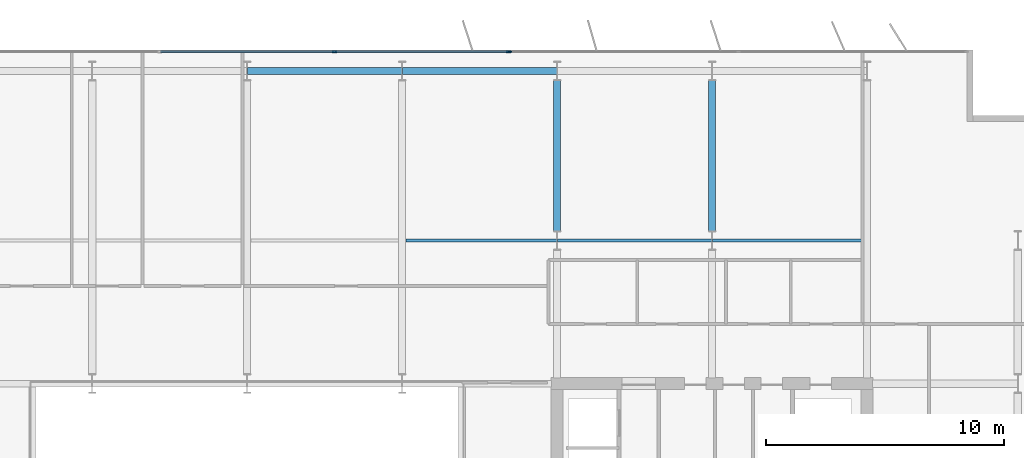
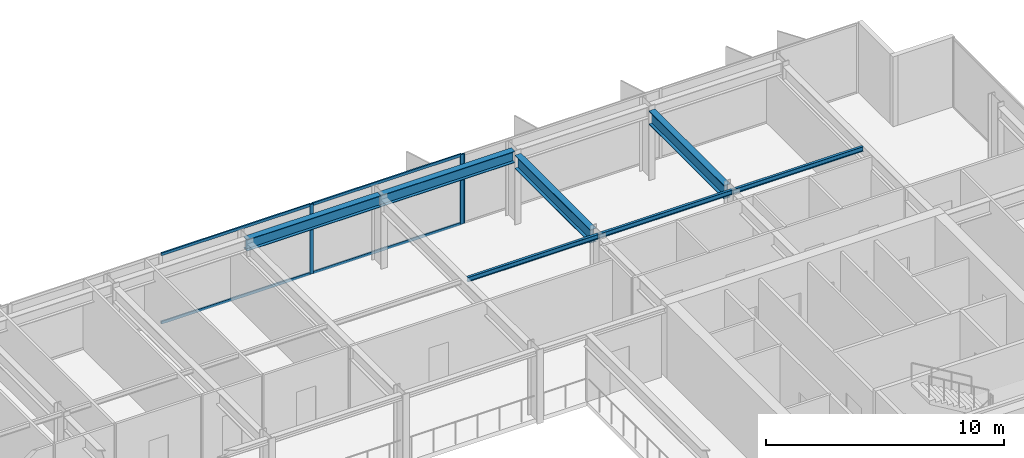
# One storey, part 12 of 24: 7 beams, 7 members, 2 elements without a shape of their own.
"""IFC4 building model written with IfcOpenShell, lengths in metres."""

from ifc_helpers import new_model, si_unit, direction, frame, origin, origin_2d, place, context, subcontext, project, spatial, rectangle, i_section, extrude, material, layer, layer_set, material_profile, profile_set, type_object, element, aggregate, save


model = new_model("IFC4")

# Units and contexts
model_context = context("Model", 3, precision=1e-05, world=origin(), true_north=direction((0.0, 1.0)))
body_context = subcontext(model_context, "Body", "Model", "MODEL_VIEW")
ifc_project = project(units=[si_unit("LENGTHUNIT", "METRE"), si_unit("AREAUNIT", "SQUARE_METRE"), si_unit("VOLUMEUNIT", "CUBIC_METRE"), si_unit("PLANEANGLEUNIT", "RADIAN"), si_unit("MASSUNIT", "GRAM", prefix="KILO")], contexts=[model_context])

# Site, building, storey
site_placement = place(None, origin())
site = spatial("IfcSite", under=ifc_project, at=site_placement, CompositionType="ELEMENT")
building_placement = place(site_placement, origin())
building = spatial("IfcBuilding", under=site, at=building_placement, Name="Putna Gate Headquarters", CompositionType="ELEMENT")
storey_placement = place(building_placement, frame((0.0, 0.0, 248.0)))
storey = spatial("IfcBuildingStorey", under=building, at=storey_placement, Name="L62", CompositionType="ELEMENT", Elevation=248.0)

# Beams
ifc_material_1 = material(Name="Steel S355J2", Category="steel")
ifc_material_profile_1 = material_profile(ifc_material_1, i_section(OverallWidth=0.300048828125, OverallDepth=0.699951171875, WebThickness=0.01708984375, FlangeThickness=0.031982421875, at=origin_2d()), Name="Steel S355J2")
ifc_profile_set_1 = profile_set([ifc_material_profile_1], Name="Steel S355J2")
beam_type_1 = type_object("IfcBeamType", Name="BM-GIRD-B-HEB700", PredefinedType="USERDEFINED", material=ifc_profile_set_1)
for number, where, z_axis, x_axis, name in (
    (1, (52.0, 39.39501953125, 3.22998046875), (0.0, 1.0, 0.0), (-1.0, 0.0, 0.0), "L62 North Primary Girder X52-2"),
    (2, (58.5, 39.39501953125, 3.22998046875), (0.0, 1.0, 0.0), (-1.0, 0.0, 0.0), "L62 North Primary Girder X58-2"),
):
    element("IfcBeam", number, at=place(storey_placement, frame(where, z_axis=z_axis, x_axis=x_axis)), inside=storey, type_object=beam_type_1, Name=name, ObjectType="GIRDER", PredefinedType="USERDEFINED", context=body_context, shape_type="SweptSolid", body=[
        extrude(i_section(OverallWidth=0.300048828125, OverallDepth=0.699951171875, WebThickness=0.01708984375, FlangeThickness=0.031982421875, at=origin_2d()), origin(), (0.0, 0.0, 1.0), 6.330078125),
    ])
ifc_material_profile_2 = material_profile(ifc_material_1, i_section(OverallWidth=0.1201171875, OverallDepth=0.239990234375, WebThickness=0.006103515625, FlangeThickness=0.009765625, at=origin_2d()), Name="Steel S355J2")
ifc_profile_set_2 = profile_set([ifc_material_profile_2], Name="Steel S355J2")
beam_type_2 = type_object("IfcBeamType", Name="BM-SEC-Z4-IPE240", PredefinedType="JOIST", material=ifc_profile_set_2)
beam_1_placement = place(storey_placement, frame((45.654052734375, 39.0, 3.4599609375), z_axis=(1.0, 0.0, 0.0), x_axis=(0.0, 1.0, 0.0)))
element("IfcBeam", 3, at=beam_1_placement, inside=storey, type_object=beam_type_2, Name="L62 North Secondary Beam 6", PredefinedType="JOIST", context=body_context, shape_type="SweptSolid", body=[
    extrude(i_section(OverallWidth=0.1201171875, OverallDepth=0.239990234375, WebThickness=0.006103515625, FlangeThickness=0.009765625, at=origin_2d()), origin(), (0.0, 0.0, 1.0), 6.33984375),
])
beam_2_placement = place(storey_placement, frame((52.006103515625, 39.0, 3.4599609375), z_axis=(1.0, 0.0, 0.0), x_axis=(0.0, 1.0, 0.0)))
element("IfcBeam", 4, at=beam_2_placement, inside=storey, type_object=beam_type_2, Name="L62 North Secondary Beam 7", PredefinedType="JOIST", context=body_context, shape_type="SweptSolid", body=[
    extrude(i_section(OverallWidth=0.1201171875, OverallDepth=0.239990234375, WebThickness=0.006103515625, FlangeThickness=0.009765625, at=origin_2d()), origin(), (0.0, 0.0, 1.0), 6.48779296875),
])
beam_3_placement = place(storey_placement, frame((58.506103515625, 39.0, 3.4599609375), z_axis=(1.0, 0.0, 0.0), x_axis=(0.0, 1.0, 0.0)))
element("IfcBeam", 5, at=beam_3_placement, inside=storey, type_object=beam_type_2, Name="L62 North Secondary Beam 8", PredefinedType="JOIST", context=body_context, shape_type="SweptSolid", body=[
    extrude(i_section(OverallWidth=0.1201171875, OverallDepth=0.239990234375, WebThickness=0.006103515625, FlangeThickness=0.009765625, at=origin_2d()), origin(), (0.0, 0.0, 1.0), 6.33984375),
])
ifc_material_profile_3 = material_profile(ifc_material_1, i_section(OverallWidth=0.300048828125, OverallDepth=0.590087890625, WebThickness=0.012939453125, FlangeThickness=0.02490234375, at=origin_2d()), Name="Steel S355J2")
ifc_profile_set_3 = profile_set([ifc_material_profile_3], Name="Steel S355J2")
beam_type_3 = type_object("IfcBeamType", Name="BM-SPAN-Z4-HEA600", PredefinedType="SPANDREL", material=ifc_profile_set_3)
for number, where, z_axis, x_axis, name in (
    (6, (39.006103515625, 46.1201171875, 3.284912109375), (1.0, 0.0, 0.0), (0.0, 1.0, 0.0), "L62 N Perimeter Spandrel 5"),
    (7, (45.506103515625, 46.1201171875, 3.284912109375), (1.0, 0.0, 0.0), (0.0, 1.0, 0.0), "L62 N Perimeter Spandrel 6"),
):
    element("IfcBeam", number, at=place(storey_placement, frame(where, z_axis=z_axis, x_axis=x_axis)), inside=storey, type_object=beam_type_3, Name=name, PredefinedType="SPANDREL", context=body_context, shape_type="SweptSolid", body=[
        extrude(i_section(OverallWidth=0.300048828125, OverallDepth=0.590087890625, WebThickness=0.012939453125, FlangeThickness=0.02490234375, at=origin_2d()), origin(), (0.0, 0.0, 1.0), 6.48779296875),
    ])

# Curtain wall, member
ifc_material_2 = material(Name="Anodised bronze aluminium curtain wall", Category="aluminium")
ifc_layer_1 = layer(ifc_material_2, 0.139892578125)
ifc_layer_set_1 = layer_set([ifc_layer_1], Name="Anodised bronze aluminium curtain wall")
curtain_wall_type_1 = type_object("IfcCurtainWallType", Name="CW-SYS-Z4", PredefinedType="USERDEFINED", material=ifc_layer_set_1)
curtain_wall_1_placement = place(storey_placement, origin())
curtain_wall_1 = element("IfcCurtainWall", 8, at=curtain_wall_1_placement, inside=storey, type_object=curtain_wall_type_1, Name="L62 North East Curtain Wall", ObjectType="STICK CURTAIN WALL", PredefinedType="USERDEFINED")
ifc_material_3 = material(Name="Anodised bronze aluminium EN AW-6060", Category="aluminium")
ifc_material_profile_4 = material_profile(ifc_material_3, rectangle(XDim=0.06005859375, YDim=0.139892578125, at=origin_2d()), Name="Anodised bronze aluminium EN AW-6060")
ifc_profile_set_4 = profile_set([ifc_material_profile_4], Name="Anodised bronze aluminium EN AW-6060")
member_type_1 = type_object("IfcMemberType", Name="MULL-CWM-4", PredefinedType="MULLION", material=ifc_profile_set_4)
member_1_placement = place(storey_placement, frame((50.030029296875, 46.919921875, 0.0), z_axis=(0.0, 0.0, 1.0), x_axis=(0.0, 1.0, 0.0)))
member_1 = element("IfcMember", 9, at=member_1_placement, type_object=member_type_1, Name="CWS-4 mullion 1", PredefinedType="MULLION", context=body_context, shape_type="SweptSolid", body=[
    extrude(rectangle(XDim=0.06005859375, YDim=0.139892578125, at=origin_2d()), origin(), (0.0, 0.0, 1.0), 3.580078125),
])
aggregate(curtain_wall_1, [member_1])

# Curtain wall, members
ifc_layer_2 = layer(ifc_material_2, 0.179931640625)
ifc_layer_set_2 = layer_set([ifc_layer_2], Name="Anodised bronze aluminium curtain wall")
curtain_wall_type_2 = type_object("IfcCurtainWallType", Name="CW-SYS-ATR", PredefinedType="USERDEFINED", material=ifc_layer_set_2)
curtain_wall_2_placement = place(storey_placement, origin())
curtain_wall_2 = element("IfcCurtainWall", 10, at=curtain_wall_2_placement, inside=storey, type_object=curtain_wall_type_2, Name="L62 North Atrium Clear Glazing", ObjectType="ATRIUM GLAZING", PredefinedType="USERDEFINED")
ifc_material_profile_5 = material_profile(ifc_material_3, rectangle(XDim=0.070068359375, YDim=0.179931640625, at=origin_2d()), Name="Anodised bronze aluminium EN AW-6060")
ifc_profile_set_5 = profile_set([ifc_material_profile_5], Name="Anodised bronze aluminium EN AW-6060")
member_type_2 = type_object("IfcMemberType", Name="MULL-CWM-AT", PredefinedType="MULLION", material=ifc_profile_set_5)
member_2_placement = place(storey_placement, frame((42.666748046875, 46.919921875, 0.0), z_axis=(0.0, 0.0, 1.0), x_axis=(0.0, 1.0, 0.0)))
member_2 = element("IfcMember", 11, at=member_2_placement, type_object=member_type_2, Name="CWS-AT mullion 3", PredefinedType="MULLION", context=body_context, shape_type="SweptSolid", body=[
    extrude(rectangle(XDim=0.070068359375, YDim=0.179931640625, at=origin_2d()), origin(), (0.0, 0.0, 1.0), 3.580078125),
])
member_3_placement = place(storey_placement, frame((49.965087890625, 46.919921875, 0.0), z_axis=(0.0, 0.0, 1.0), x_axis=(0.0, 1.0, 0.0)))
member_3 = element("IfcMember", 12, at=member_3_placement, type_object=member_type_2, Name="CWS-AT mullion 4", PredefinedType="MULLION", context=body_context, shape_type="SweptSolid", body=[
    extrude(rectangle(XDim=0.070068359375, YDim=0.179931640625, at=origin_2d()), origin(), (0.0, 0.0, 1.0), 3.580078125),
])
ifc_material_profile_6 = material_profile(ifc_material_3, rectangle(XDim=0.070068359375, YDim=0.139892578125, at=origin_2d()), Name="Anodised bronze aluminium EN AW-6060")
ifc_profile_set_6 = profile_set([ifc_material_profile_6], Name="Anodised bronze aluminium EN AW-6060")
member_type_3 = type_object("IfcMemberType", Name="TRAN-CWT-AT", PredefinedType="USERDEFINED", material=ifc_profile_set_6)
member_4_placement = place(storey_placement, frame((35.368408203125, 46.919921875, 0.034912109375), z_axis=(1.0, 0.0, 0.0), x_axis=(0.0, 1.0, 0.0)))
member_4 = element("IfcMember", 13, at=member_4_placement, type_object=member_type_3, Name="CWS-AT transom 2.1", ObjectType="TRANSOM", PredefinedType="USERDEFINED", context=body_context, shape_type="SweptSolid", body=[
    extrude(rectangle(XDim=0.070068359375, YDim=0.139892578125, at=origin_2d()), origin(), (0.0, 0.0, 1.0), 7.26318359375),
])
member_5_placement = place(storey_placement, frame((35.368408203125, 46.919921875, 3.544921875), z_axis=(1.0, 0.0, 0.0), x_axis=(0.0, 1.0, 0.0)))
member_5 = element("IfcMember", 14, at=member_5_placement, type_object=member_type_3, Name="CWS-AT transom 2.2", ObjectType="TRANSOM", PredefinedType="USERDEFINED", context=body_context, shape_type="SweptSolid", body=[
    extrude(rectangle(XDim=0.070068359375, YDim=0.139892578125, at=origin_2d()), origin(), (0.0, 0.0, 1.0), 7.26318359375),
])
member_6_placement = place(storey_placement, frame((42.70166015625, 46.919921875, 0.034912109375), z_axis=(1.0, 0.0, 0.0), x_axis=(0.0, 1.0, 0.0)))
member_6 = element("IfcMember", 15, at=member_6_placement, type_object=member_type_3, Name="CWS-AT transom 3.1", ObjectType="TRANSOM", PredefinedType="USERDEFINED", context=body_context, shape_type="SweptSolid", body=[
    extrude(rectangle(XDim=0.070068359375, YDim=0.139892578125, at=origin_2d()), origin(), (0.0, 0.0, 1.0), 7.228271484375),
])
member_7_placement = place(storey_placement, frame((42.70166015625, 46.919921875, 3.544921875), z_axis=(1.0, 0.0, 0.0), x_axis=(0.0, 1.0, 0.0)))
member_7 = element("IfcMember", 16, at=member_7_placement, type_object=member_type_3, Name="CWS-AT transom 3.2", ObjectType="TRANSOM", PredefinedType="USERDEFINED", context=body_context, shape_type="SweptSolid", body=[
    extrude(rectangle(XDim=0.070068359375, YDim=0.139892578125, at=origin_2d()), origin(), (0.0, 0.0, 1.0), 7.228271484375),
])
aggregate(curtain_wall_2, [member_2, member_3, member_4, member_5, member_6, member_7])

save(model, "model.ifc")
